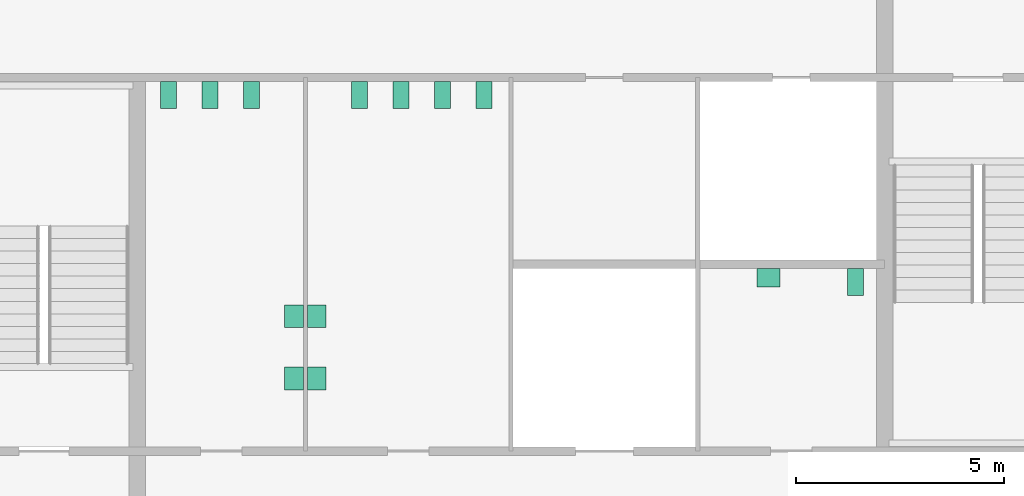
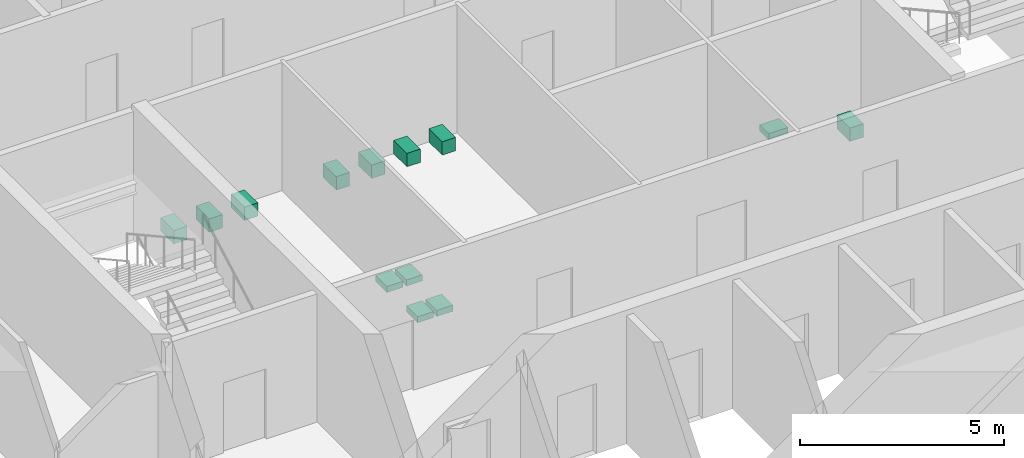
# One storey, part 14 of 14: 13 sanitary terminals.
"""IFC4 building model written with IfcOpenShell, lengths in metres."""

from ifc_helpers import new_model, si_unit, direction, frame, origin, origin_2d, place, context, subcontext, project, spatial, rectangle, extrude, material, type_object, element, save


model = new_model("IFC4")

# Units and contexts
model_context = context("Model", 3, precision=1e-05, world=origin(), true_north=direction((0.0, 1.0)))
body_context = subcontext(model_context, "Body", "Model", "MODEL_VIEW")
ifc_project = project(units=[si_unit("LENGTHUNIT", "METRE"), si_unit("AREAUNIT", "SQUARE_METRE"), si_unit("VOLUMEUNIT", "CUBIC_METRE"), si_unit("PLANEANGLEUNIT", "RADIAN"), si_unit("MASSUNIT", "GRAM", prefix="KILO")], contexts=[model_context])

# Site, building, storey
site_placement = place(None, origin())
site = spatial("IfcSite", under=ifc_project, at=site_placement, CompositionType="ELEMENT")
building_placement = place(site_placement, origin())
building = spatial("IfcBuilding", under=site, at=building_placement, Name="Corais Broadcast Tower", CompositionType="ELEMENT")
storey_placement = place(building_placement, frame((0.0, 0.0, 298.60009765625)))
storey = spatial("IfcBuildingStorey", under=building, at=storey_placement, Name="L70", CompositionType="ELEMENT", Elevation=298.60009765625)

# Sanitary terminals
ifc_material_1 = material(Name="Vitreous china", Category="ceramic")
sanitary_terminal_type_1 = type_object("IfcSanitaryTerminalType", Name="WC pan 380x650", PredefinedType="TOILETPAN", material=ifc_material_1)
for number, where, z_axis, x_axis, name in (
    (1, (18.75, 31.074951171875, 0.0), (0.0, 0.0, 1.0), (1.0, 0.0, 0.0), "SW1 WC pan, male toilets L70"),
    (2, (19.75, 31.074951171875, 0.0), (0.0, 0.0, 1.0), (1.0, 0.0, 0.0), "SW1 WC pan, male toilets L70"),
    (3, (20.75, 31.074951171875, 0.0), (0.0, 0.0, 1.0), (1.0, 0.0, 0.0), "SW1 WC pan, male toilets L70"),
    (4, (23.35009765625, 31.074951171875, 0.0), (0.0, 0.0, 1.0), (1.0, 0.0, 0.0), "SW1 WC pan, female toilets L70"),
    (5, (24.35009765625, 31.074951171875, 0.0), (0.0, 0.0, 1.0), (1.0, 0.0, 0.0), "SW1 WC pan, female toilets L70"),
    (6, (25.35009765625, 31.074951171875, 0.0), (0.0, 0.0, 1.0), (1.0, 0.0, 0.0), "SW1 WC pan, female toilets L70"),
    (7, (26.35009765625, 31.074951171875, 0.0), (0.0, 0.0, 1.0), (1.0, 0.0, 0.0), "SW1 WC pan, female toilets L70"),
    (8, (35.300048828125, 26.574951171875, 0.0), (0.0, 0.0, 1.0), (1.0, 0.0, 0.0), "SW1 WC pan, accessible WC L70"),
):
    element("IfcSanitaryTerminal", number, at=place(storey_placement, frame(where, z_axis=z_axis, x_axis=x_axis)), inside=storey, type_object=sanitary_terminal_type_1, Name=name, PredefinedType="TOILETPAN", context=body_context, shape_type="SweptSolid", body=[
        extrude(rectangle(XDim=0.3798828125, YDim=0.64990234375, at=origin_2d()), origin(), (0.0, 0.0, 1.0), 0.39990234375),
    ])
ifc_material_2 = material(Name="Vitreous china", Category="ceramic")
sanitary_terminal_type_2 = type_object("IfcSanitaryTerminalType", Name="Wash basin 550x450", PredefinedType="WASHHANDBASIN", material=ifc_material_2)
for number, where, z_axis, x_axis, name in (
    (9, (21.77490234375, 24.25, 0.69970703125), (0.0, 0.0, 1.0), (1.0, 0.0, 0.0), "WB1 wash basin, male toilets L70"),
    (10, (21.77490234375, 25.75, 0.69970703125), (0.0, 0.0, 1.0), (1.0, 0.0, 0.0), "WB1 wash basin, male toilets L70"),
    (11, (22.324951171875, 24.25, 0.69970703125), (0.0, 0.0, 1.0), (1.0, 0.0, 0.0), "WB1 wash basin, female toilets L70"),
    (12, (22.324951171875, 25.75, 0.69970703125), (0.0, 0.0, 1.0), (1.0, 0.0, 0.0), "WB1 wash basin, female toilets L70"),
):
    element("IfcSanitaryTerminal", number, at=place(storey_placement, frame(where, z_axis=z_axis, x_axis=x_axis)), inside=storey, type_object=sanitary_terminal_type_2, Name=name, PredefinedType="WASHHANDBASIN", context=body_context, shape_type="SweptSolid", body=[
        extrude(rectangle(XDim=0.449951171875, YDim=0.550048828125, at=origin_2d()), origin(), (0.0, 0.0, 1.0), 0.179931640625),
    ])
sanitary_terminal_placement = place(storey_placement, frame((33.199951171875, 26.675048828125, 0.69970703125), z_axis=(0.0, 0.0, 1.0), x_axis=(1.0, 0.0, 0.0)))
element("IfcSanitaryTerminal", 13, at=sanitary_terminal_placement, inside=storey, type_object=sanitary_terminal_type_2, Name="WB1 wash basin, accessible WC L70", PredefinedType="WASHHANDBASIN", context=body_context, shape_type="SweptSolid", body=[
    extrude(rectangle(XDim=0.550048828125, YDim=0.449951171875, at=origin_2d()), origin(), (0.0, 0.0, 1.0), 0.179931640625),
])

save(model, "model.ifc")
